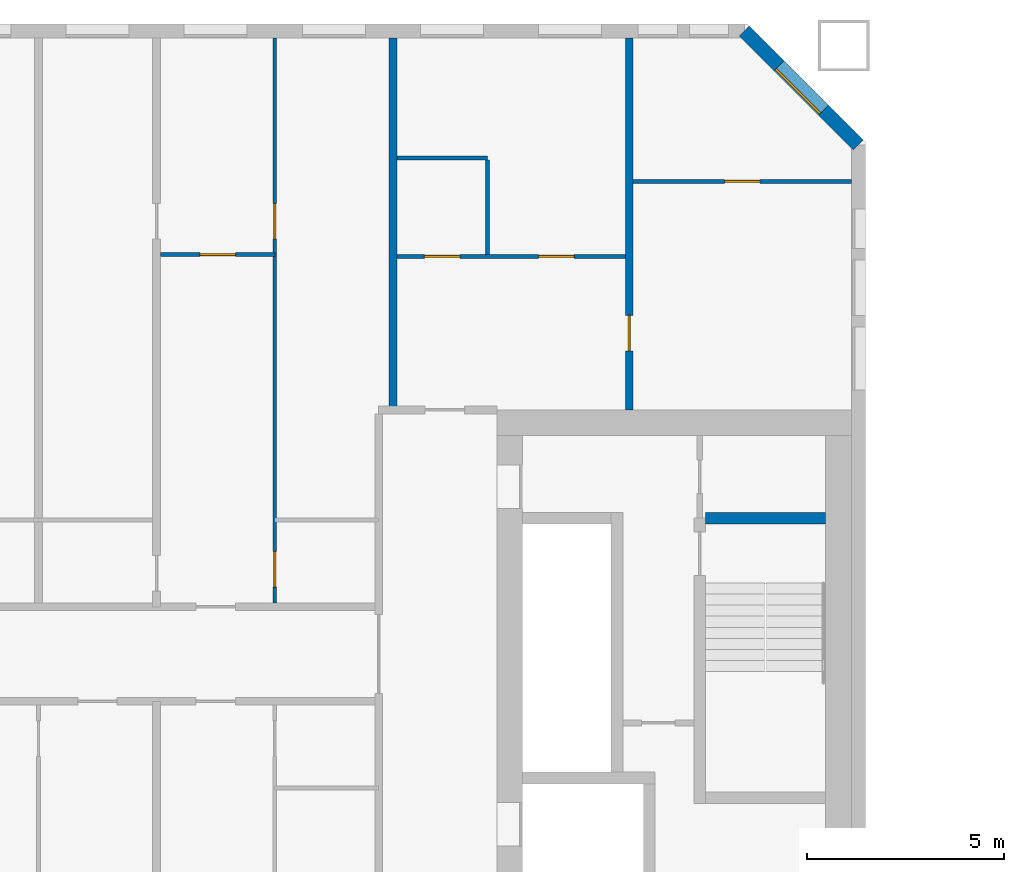
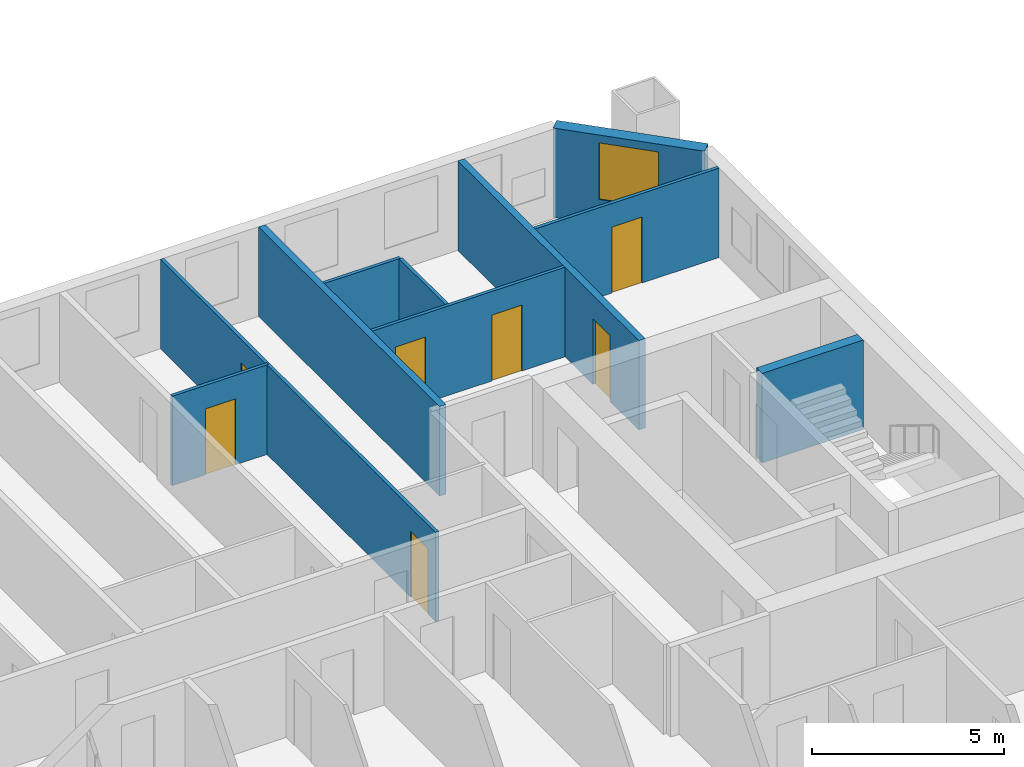
# One storey, part 8 of 16: 10 walls, 7 doors, 1 window, 8 openings.
"""IFC4 building model written with IfcOpenShell, lengths in metres."""

from ifc_helpers import new_model, si_unit, direction, frame, frame_2d, origin, place, context, subcontext, project, spatial, rectangle, extrude, material, layer, layer_set, type_object, element, fill, save


model = new_model("IFC4")

# Units and contexts
model_context = context("Model", 3, precision=1e-05, world=origin(), true_north=direction((0.0, 1.0)))
body_context = subcontext(model_context, "Body", "Model", "MODEL_VIEW")
ifc_project = project(units=[si_unit("LENGTHUNIT", "METRE"), si_unit("AREAUNIT", "SQUARE_METRE"), si_unit("VOLUMEUNIT", "CUBIC_METRE"), si_unit("PLANEANGLEUNIT", "RADIAN"), si_unit("MASSUNIT", "GRAM", prefix="KILO")], contexts=[model_context])

# Site, building, storey
site_placement = place(None, origin())
site = spatial("IfcSite", under=ifc_project, at=site_placement, CompositionType="ELEMENT")
building_placement = place(site_placement, origin())
building = spatial("IfcBuilding", under=site, at=building_placement, Name="Tuart Gate Housing", CompositionType="ELEMENT")
storey_placement = place(building_placement, frame((0.0, 0.0, 96.39990234375)))
storey = spatial("IfcBuildingStorey", under=building, at=storey_placement, Name="L26", CompositionType="ELEMENT", Elevation=96.39990234375)

# Wall, opening, window
ifc_material_1 = material(Name="Brick", Category="masonry")
ifc_layer_1 = layer(ifc_material_1, 0.360107421875)
ifc_layer_set_1 = layer_set([ifc_layer_1], Name="Brick pier and spandrel wall 360")
wall_type_1 = type_object("IfcWallType", Name="Brick pier and spandrel wall 360", PredefinedType="STANDARD", material=ifc_layer_set_1)
wall_1_placement = place(storey_placement, frame((75.820068359375, 82.92529296875, 0.0), z_axis=(0.0, 0.0, 1.0), x_axis=(-0.707106781187, 0.707106781187, 0.0)))
wall_1 = element("IfcWall", 1, at=wall_1_placement, inside=storey, type_object=wall_type_1, Name="External wall A-NE L26", PredefinedType="STANDARD", context=body_context, shape_type="SweptSolid", body=[
    extrude(rectangle(XDim=4.09375, YDim=0.360107421875, at=frame_2d((2.046875, 0.0))), origin(), (0.0, 0.0, 1.0), 2.85009765625),
])
opening_1_placement = place(wall_1_placement, frame((1.2470703125, 0.0, 0.800048828125)))
opening_1 = element("IfcOpeningElement", 2, at=opening_1_placement, cuts=wall_1, Name="Opening W1", PredefinedType="OPENING", context=body_context, shape_type="SweptSolid", body=[
    extrude(rectangle(XDim=1.60009765625, YDim=1.800048828125, at=frame_2d((0.800048828125, 0.89990234375))), frame((0.0, 0.18994140625, 0.0), z_axis=(0.0, -1.0, 0.0), x_axis=(1.0, 0.0, 0.0)), (0.0, 0.0, 1.0), 0.380126953125),
])
ifc_material_2 = material(Name="Aluminium frame with clear glass", Category="aluminium")
window_type = type_object("IfcWindowType", Name="Punched window 1600 x 1800", PartitioningType="SINGLE_PANEL", PredefinedType="WINDOW", material=ifc_material_2)
window_placement = place(opening_1_placement, origin())
window = element("IfcWindow", 3, at=window_placement, inside=storey, type_object=window_type, Name="Window W1", OverallHeight=1.800048828125, OverallWidth=1.60009765625, PartitioningType="SINGLE_PANEL", PredefinedType="WINDOW", context=body_context, shape_type="SweptSolid", body=[
    extrude(rectangle(XDim=1.60009765625, YDim=1.800048828125, at=frame_2d((0.800048828125, 0.89990234375))), frame((0.0, 0.150146484375, 0.0), z_axis=(0.0, -1.0, 0.0), x_axis=(1.0, 0.0, 0.0)), (0.0, 0.0, 1.0), 0.06005859375),
])
fill(opening_1, window)

# Wall
ifc_material_3 = material(Name="Concrete C50", Category="concrete")
ifc_layer_2 = layer(ifc_material_3, 0.300048828125)
ifc_layer_set_2 = layer_set([ifc_layer_2], Name="Core wall 300 C50")
wall_type_2 = type_object("IfcWallType", Name="Core wall 300 C50", PredefinedType="SHEAR", material=ifc_layer_set_2)
wall_2_placement = place(storey_placement, frame((71.93994140625, 73.449951171875, 0.0), z_axis=(0.0, 0.0, 1.0), x_axis=(1.0, 0.0, 0.0)))
element("IfcWall", 4, at=wall_2_placement, inside=storey, type_object=wall_type_2, Name="Core wall AG.5", PredefinedType="SHEAR", context=body_context, shape_type="SweptSolid", body=[
    extrude(rectangle(XDim=3.050048828125, YDim=0.300048828125, at=frame_2d((1.52490234375, 0.0))), origin(), (0.0, 0.0, 1.0), 2.85009765625),
])

# Wall, openings, doors
ifc_material_4 = material(Name="Gypsum board on steel studs", Category="steel")
ifc_layer_3 = layer(ifc_material_4, 0.10009765625)
ifc_layer_set_3 = layer_set([ifc_layer_3], Name="Partition 100")
wall_type_3 = type_object("IfcWallType", Name="Partition 100", PredefinedType="PARTITIONING", material=ifc_layer_set_3)
wall_3_placement = place(storey_placement, frame((64.10009765625, 80.10009765625, 0.0), z_axis=(0.0, 0.0, 1.0), x_axis=(1.0, 0.0, 0.0)))
wall_3 = element("IfcWall", 5, at=wall_3_placement, inside=storey, type_object=wall_type_3, Name="Partition 100", PredefinedType="PARTITIONING", context=body_context, shape_type="SweptSolid", body=[
    extrude(rectangle(XDim=5.7998046875, YDim=0.10009765625, at=frame_2d((2.89990234375, 0.0))), origin(), (0.0, 0.0, 1.0), 2.85009765625),
])
opening_2_placement = place(wall_3_placement, frame((3.60009765625, 0.0, 0.0)))
opening_2 = element("IfcOpeningElement", 6, at=opening_2_placement, cuts=wall_3, Name="Opening D1073", PredefinedType="OPENING", context=body_context, shape_type="SweptSolid", body=[
    extrude(rectangle(XDim=0.89990234375, YDim=2.10009765625, at=frame_2d((0.449951171875, 1.050048828125))), frame((0.0, 0.06005859375, 0.0), z_axis=(0.0, -1.0, 0.0), x_axis=(1.0, 0.0, 0.0)), (0.0, 0.0, 1.0), 0.1201171875),
])
opening_3_placement = place(wall_3_placement, frame((0.699951171875, 0.0, 0.0)))
opening_3 = element("IfcOpeningElement", 7, at=opening_3_placement, cuts=wall_3, Name="Opening D1072", PredefinedType="OPENING", context=body_context, shape_type="SweptSolid", body=[
    extrude(rectangle(XDim=0.89990234375, YDim=2.10009765625, at=frame_2d((0.449951171875, 1.050048828125))), frame((0.0, 0.06005859375, 0.0), z_axis=(0.0, -1.0, 0.0), x_axis=(1.0, 0.0, 0.0)), (0.0, 0.0, 1.0), 0.1201171875),
])
ifc_material_5 = material(Name="Timber door leaf in steel frame", Category="steel")
door_type_1 = type_object("IfcDoorType", Name="Bathroom door 900 RH", OperationType="SINGLE_SWING_RIGHT", PredefinedType="DOOR", material=ifc_material_5)
door_1_placement = place(opening_3_placement, origin())
door_1 = element("IfcDoor", 8, at=door_1_placement, inside=storey, type_object=door_type_1, Name="Bathroom door", OperationType="SINGLE_SWING_RIGHT", OverallHeight=2.10009765625, OverallWidth=0.89990234375, PredefinedType="DOOR", context=body_context, shape_type="SweptSolid", body=[
    extrude(rectangle(XDim=0.89990234375, YDim=2.10009765625, at=frame_2d((0.449951171875, 1.050048828125))), frame((0.0, 0.02490234375, 0.0), z_axis=(0.0, -1.0, 0.0), x_axis=(1.0, 0.0, 0.0)), (0.0, 0.0, 1.0), 0.050048828125),
])
fill(opening_3, door_1)
ifc_material_6 = material(Name="Timber door leaf in steel frame", Category="steel")
door_type_2 = type_object("IfcDoorType", Name="Internal door 900", OperationType="SINGLE_SWING_LEFT", PredefinedType="DOOR", material=ifc_material_6)
door_2_placement = place(opening_2_placement, origin())
door_2 = element("IfcDoor", 9, at=door_2_placement, inside=storey, type_object=door_type_2, Name="Internal door", OperationType="SINGLE_SWING_LEFT", OverallHeight=2.10009765625, OverallWidth=0.89990234375, PredefinedType="DOOR", context=body_context, shape_type="SweptSolid", body=[
    extrude(rectangle(XDim=0.89990234375, YDim=2.10009765625, at=frame_2d((0.449951171875, 1.050048828125))), frame((0.0, 0.02490234375, 0.0), z_axis=(0.0, -1.0, 0.0), x_axis=(1.0, 0.0, 0.0)), (0.0, 0.0, 1.0), 0.050048828125),
])
fill(opening_2, door_2)

# Wall, opening, door
wall_4_placement = place(storey_placement, frame((58.10009765625, 80.139892578125, 0.0), z_axis=(0.0, 0.0, 1.0), x_axis=(1.0, 0.0, 0.0)))
wall_4 = element("IfcWall", 10, at=wall_4_placement, inside=storey, type_object=wall_type_3, Name="Partition 100", PredefinedType="PARTITIONING", context=body_context, shape_type="SweptSolid", body=[
    extrude(rectangle(XDim=2.89990234375, YDim=0.10009765625, at=frame_2d((1.449951171875, 0.0))), origin(), (0.0, 0.0, 1.0), 2.85009765625),
])
opening_4_placement = place(wall_4_placement, frame((1.0, 0.0, 0.0)))
opening_4 = element("IfcOpeningElement", 11, at=opening_4_placement, cuts=wall_4, Name="Opening D1068", PredefinedType="OPENING", context=body_context, shape_type="SweptSolid", body=[
    extrude(rectangle(XDim=0.89990234375, YDim=2.10009765625, at=frame_2d((0.449951171875, 1.050048828125))), frame((0.0, 0.06005859375, 0.0), z_axis=(0.0, -1.0, 0.0), x_axis=(1.0, 0.0, 0.0)), (0.0, 0.0, 1.0), 0.1201171875),
])
door_3_placement = place(opening_4_placement, frame((0.89990234375, 0.0, 0.0), z_axis=(0.0, 0.0, 1.0), x_axis=(-1.0, 0.0, 0.0)))
door_3 = element("IfcDoor", 12, at=door_3_placement, inside=storey, type_object=door_type_2, Name="Internal door", OperationType="SINGLE_SWING_LEFT", OverallHeight=2.10009765625, OverallWidth=0.89990234375, PredefinedType="DOOR", context=body_context, shape_type="SweptSolid", body=[
    extrude(rectangle(XDim=0.89990234375, YDim=2.10009765625, at=frame_2d((0.449951171875, 1.050048828125))), frame((0.0, 0.025146484375, 0.0), z_axis=(0.0, -1.0, 0.0), x_axis=(1.0, 0.0, 0.0)), (0.0, 0.0, 1.0), 0.050048828125),
])
fill(opening_4, door_3)

wall_5_placement = place(storey_placement, frame((70.10009765625, 82.0, 0.0), z_axis=(0.0, 0.0, 1.0), x_axis=(1.0, 0.0, 0.0)))
wall_5 = element("IfcWall", 13, at=wall_5_placement, inside=storey, type_object=wall_type_3, Name="Partition 100", PredefinedType="PARTITIONING", context=body_context, shape_type="SweptSolid", body=[
    extrude(rectangle(XDim=5.539794921875, YDim=0.10009765625, at=frame_2d((2.77001953125, 0.0))), origin(), (0.0, 0.0, 1.0), 2.85009765625),
])
opening_5_placement = place(wall_5_placement, frame((2.320068359375, 0.0, 0.0)))
opening_5 = element("IfcOpeningElement", 14, at=opening_5_placement, cuts=wall_5, Name="Opening D1066", PredefinedType="OPENING", context=body_context, shape_type="SweptSolid", body=[
    extrude(rectangle(XDim=0.89990234375, YDim=2.10009765625, at=frame_2d((0.449951171875, 1.050048828125))), frame((0.0, 0.06005859375, 0.0), z_axis=(0.0, -1.0, 0.0), x_axis=(1.0, 0.0, 0.0)), (0.0, 0.0, 1.0), 0.1201171875),
])
ifc_material_7 = material(Name="Timber door leaf in steel frame", Category="steel")
door_type_3 = type_object("IfcDoorType", Name="Internal door 900 RH", OperationType="SINGLE_SWING_RIGHT", PredefinedType="DOOR", material=ifc_material_7)
door_4_placement = place(opening_5_placement, origin())
door_4 = element("IfcDoor", 15, at=door_4_placement, inside=storey, type_object=door_type_3, Name="Internal door", OperationType="SINGLE_SWING_RIGHT", OverallHeight=2.10009765625, OverallWidth=0.89990234375, PredefinedType="DOOR", context=body_context, shape_type="SweptSolid", body=[
    extrude(rectangle(XDim=0.89990234375, YDim=2.10009765625, at=frame_2d((0.449951171875, 1.050048828125))), frame((0.0, 0.02490234375, 0.0), z_axis=(0.0, -1.0, 0.0), x_axis=(1.0, 0.0, 0.0)), (0.0, 0.0, 1.0), 0.050048828125),
])
fill(opening_5, door_4)

# Wall
wall_6_placement = place(storey_placement, frame((64.10009765625, 82.60009765625, 0.0), z_axis=(0.0, 0.0, 1.0), x_axis=(1.0, 0.0, 0.0)))
element("IfcWall", 16, at=wall_6_placement, inside=storey, type_object=wall_type_3, Name="Partition 100", PredefinedType="PARTITIONING", context=body_context, shape_type="SweptSolid", body=[
    extrude(rectangle(XDim=2.2998046875, YDim=0.10009765625, at=frame_2d((1.14990234375, 0.0))), origin(), (0.0, 0.0, 1.0), 2.85009765625),
])

# Wall, openings, doors
wall_7_placement = place(storey_placement, frame((61.0, 71.300048828125, 0.0), z_axis=(0.0, 0.0, 1.0), x_axis=(0.0, 1.0, 0.0)))
wall_7 = element("IfcWall", 17, at=wall_7_placement, inside=storey, type_object=wall_type_3, Name="Partition 100", PredefinedType="PARTITIONING", context=body_context, shape_type="SweptSolid", body=[
    extrude(rectangle(XDim=14.33984375, YDim=0.10009765625, at=frame_2d((7.169921875, 0.0))), origin(), (0.0, 0.0, 1.0), 2.85009765625),
])
opening_6_placement = place(wall_7_placement, frame((9.239990234375, 0.0, 0.0)))
opening_6 = element("IfcOpeningElement", 18, at=opening_6_placement, cuts=wall_7, Name="Opening D1081", PredefinedType="OPENING", context=body_context, shape_type="SweptSolid", body=[
    extrude(rectangle(XDim=0.89990234375, YDim=2.10009765625, at=frame_2d((0.449951171875, 1.050048828125))), frame((0.0, 0.06005859375, 0.0), z_axis=(0.0, -1.0, 0.0), x_axis=(1.0, 0.0, 0.0)), (0.0, 0.0, 1.0), 0.1201171875),
])
opening_7_placement = place(wall_7_placement, frame((0.39990234375, 0.0, 0.0)))
opening_7 = element("IfcOpeningElement", 19, at=opening_7_placement, cuts=wall_7, Name="Opening D1080", PredefinedType="OPENING", context=body_context, shape_type="SweptSolid", body=[
    extrude(rectangle(XDim=0.89990234375, YDim=2.10009765625, at=frame_2d((0.449951171875, 1.050048828125))), frame((0.0, 0.06005859375, 0.0), z_axis=(0.0, -1.0, 0.0), x_axis=(1.0, 0.0, 0.0)), (0.0, 0.0, 1.0), 0.1201171875),
])
door_5_placement = place(opening_7_placement, frame((0.89990234375, 0.0, 0.0), z_axis=(0.0, 0.0, 1.0), x_axis=(-1.0, 0.0, 0.0)))
door_5 = element("IfcDoor", 20, at=door_5_placement, inside=storey, type_object=door_type_1, Name="Bathroom door", OperationType="SINGLE_SWING_RIGHT", OverallHeight=2.10009765625, OverallWidth=0.89990234375, PredefinedType="DOOR", context=body_context, shape_type="SweptSolid", body=[
    extrude(rectangle(XDim=0.89990234375, YDim=2.10009765625, at=frame_2d((0.449951171875, 1.050048828125))), frame((0.0, 0.025146484375, 0.0), z_axis=(0.0, -1.0, 0.0), x_axis=(1.0, 0.0, 0.0)), (0.0, 0.0, 1.0), 0.050048828125),
])
fill(opening_7, door_5)
door_6_placement = place(opening_6_placement, frame((0.89990234375, 0.0, 0.0), z_axis=(0.0, 0.0, 1.0), x_axis=(-1.0, 0.0, 0.0)))
door_6 = element("IfcDoor", 21, at=door_6_placement, inside=storey, type_object=door_type_2, Name="Internal door", OperationType="SINGLE_SWING_LEFT", OverallHeight=2.10009765625, OverallWidth=0.89990234375, PredefinedType="DOOR", context=body_context, shape_type="SweptSolid", body=[
    extrude(rectangle(XDim=0.89990234375, YDim=2.10009765625, at=frame_2d((0.449951171875, 1.050048828125))), frame((0.0, 0.025146484375, 0.0), z_axis=(0.0, -1.0, 0.0), x_axis=(1.0, 0.0, 0.0)), (0.0, 0.0, 1.0), 0.050048828125),
])
fill(opening_6, door_6)

# Walls
wall_8_placement = place(storey_placement, frame((66.39990234375, 80.14990234375, 0.0), z_axis=(0.0, 0.0, 1.0), x_axis=(0.0, 1.0, 0.0)))
element("IfcWall", 22, at=wall_8_placement, inside=storey, type_object=wall_type_3, Name="Partition 100", PredefinedType="PARTITIONING", context=body_context, shape_type="SweptSolid", body=[
    extrude(rectangle(XDim=2.400146484375, YDim=0.10009765625, at=frame_2d((1.2001953125, 0.0))), origin(), (0.0, 0.0, 1.0), 2.85009765625),
])
ifc_material_8 = material(Name="Concrete C40", Category="concrete")
ifc_layer_4 = layer(ifc_material_8, 0.199951171875)
ifc_layer_set_4 = layer_set([ifc_layer_4], Name="Party wall concrete C40 200")
wall_type_4 = type_object("IfcWallType", Name="Party wall concrete C40 200", PredefinedType="SOLIDWALL", material=ifc_layer_set_4)
wall_9_placement = place(storey_placement, frame((64.0, 76.199951171875, 0.0), z_axis=(0.0, 0.0, 1.0), x_axis=(0.0, 1.0, 0.0)))
element("IfcWall", 23, at=wall_9_placement, inside=storey, type_object=wall_type_4, Name="Party wall concrete C40 200", PredefinedType="SOLIDWALL", context=body_context, shape_type="SweptSolid", body=[
    extrude(rectangle(XDim=9.43994140625, YDim=0.199951171875, at=frame_2d((4.719970703125, 0.0))), origin(), (0.0, 0.0, 1.0), 2.85009765625),
])

# Wall, opening, door
wall_10_placement = place(storey_placement, frame((70.0, 76.199951171875, 0.0), z_axis=(0.0, 0.0, 1.0), x_axis=(0.0, 1.0, 0.0)))
wall_10 = element("IfcWall", 24, at=wall_10_placement, inside=storey, type_object=wall_type_4, Name="Party wall concrete C40 200", PredefinedType="SOLIDWALL", context=body_context, shape_type="SweptSolid", body=[
    extrude(rectangle(XDim=9.43994140625, YDim=0.199951171875, at=frame_2d((4.719970703125, 0.0))), origin(), (0.0, 0.0, 1.0), 2.85009765625),
])
opening_8_placement = place(wall_10_placement, frame((1.5, 0.0, 0.0)))
opening_8 = element("IfcOpeningElement", 25, at=opening_8_placement, cuts=wall_10, Name="Opening D1067", PredefinedType="OPENING", context=body_context, shape_type="SweptSolid", body=[
    extrude(rectangle(XDim=0.89990234375, YDim=2.10009765625, at=frame_2d((0.449951171875, 1.050048828125))), frame((0.0, 0.10986328125, 0.0), z_axis=(0.0, -1.0, 0.0), x_axis=(1.0, 0.0, 0.0)), (0.0, 0.0, 1.0), 0.219970703125),
])
door_7_placement = place(opening_8_placement, origin())
door_7 = element("IfcDoor", 26, at=door_7_placement, inside=storey, type_object=door_type_2, Name="Internal door", OperationType="SINGLE_SWING_LEFT", OverallHeight=2.10009765625, OverallWidth=0.89990234375, PredefinedType="DOOR", context=body_context, shape_type="SweptSolid", body=[
    extrude(rectangle(XDim=0.89990234375, YDim=2.10009765625, at=frame_2d((0.449951171875, 1.050048828125))), frame((0.0, 0.02490234375, 0.0), z_axis=(0.0, -1.0, 0.0), x_axis=(1.0, 0.0, 0.0)), (0.0, 0.0, 1.0), 0.050048828125),
])
fill(opening_8, door_7)

save(model, "model.ifc")
